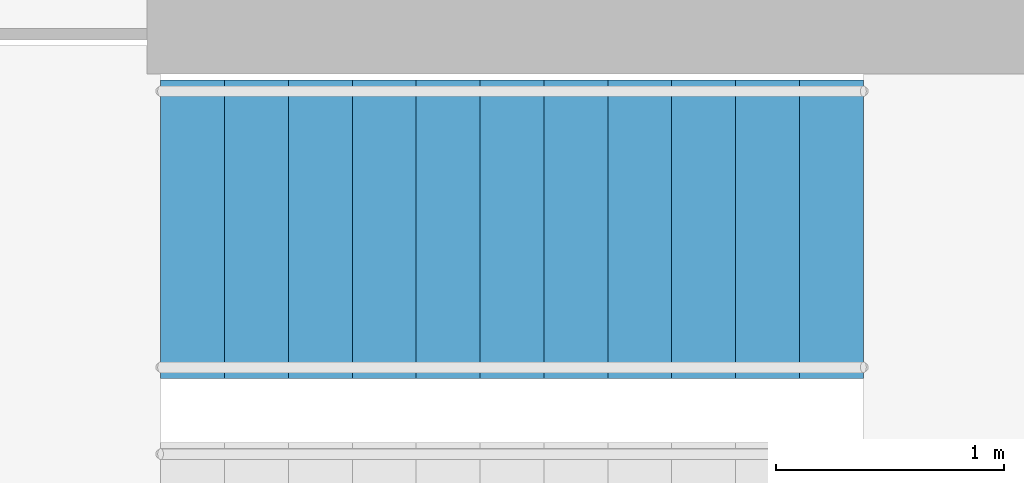
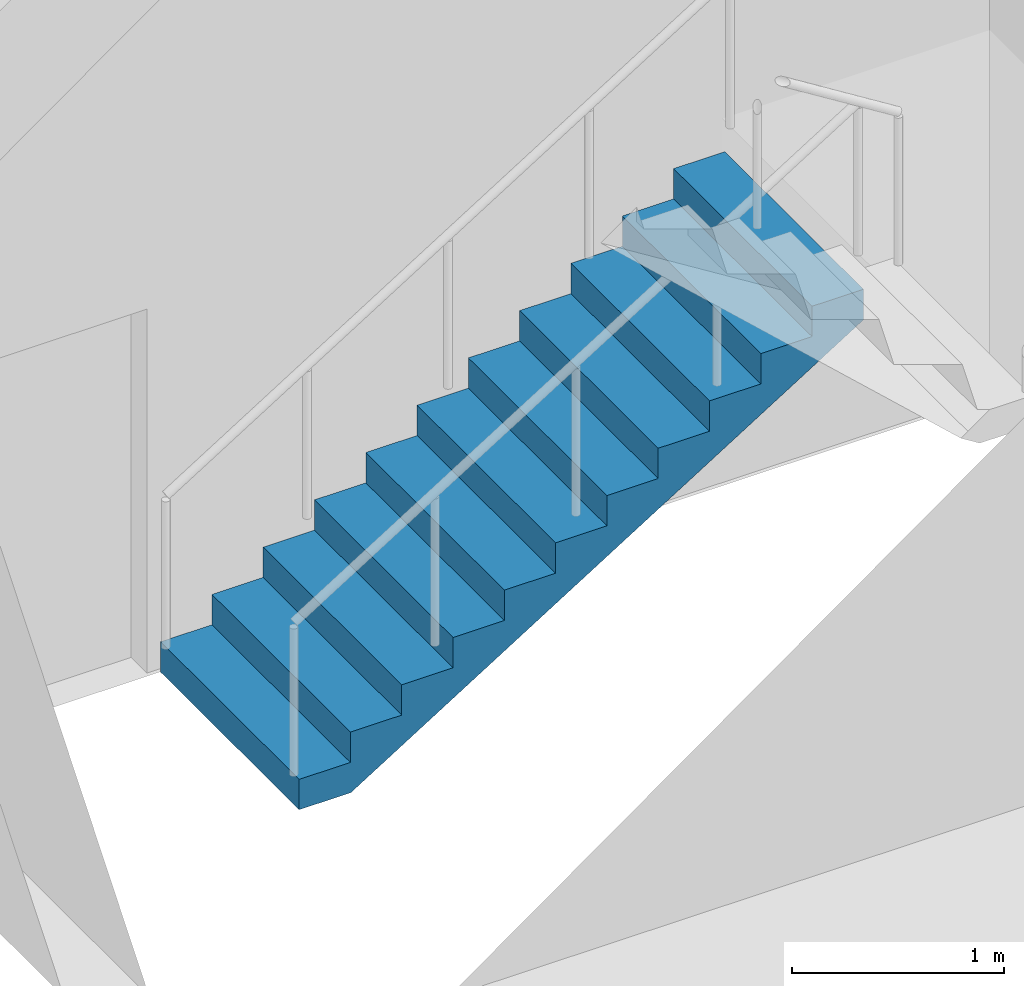
# One storey, part 11 of 14: 1 stair flight, 1 element without a shape of its own.
"""IFC4 building model written with IfcOpenShell, lengths in metres."""

from ifc_helpers import new_model, si_unit, direction, frame, origin, place, context, subcontext, project, spatial, polyline, outline, extrude, material, type_object, element, aggregate, save


model = new_model("IFC4")

# Units and contexts
model_context = context("Model", 3, precision=1e-05, world=origin(), true_north=direction((0.0, 1.0)))
body_context = subcontext(model_context, "Body", "Model", "MODEL_VIEW")
ifc_project = project(units=[si_unit("LENGTHUNIT", "METRE"), si_unit("AREAUNIT", "SQUARE_METRE"), si_unit("VOLUMEUNIT", "CUBIC_METRE"), si_unit("PLANEANGLEUNIT", "RADIAN"), si_unit("MASSUNIT", "GRAM", prefix="KILO")], contexts=[model_context])

# Site, building, storey
site_placement = place(None, origin())
site = spatial("IfcSite", under=ifc_project, at=site_placement, CompositionType="ELEMENT")
building_placement = place(site_placement, origin())
building = spatial("IfcBuilding", under=site, at=building_placement, Name="Qaws Media Tower", CompositionType="ELEMENT")
storey_placement = place(building_placement, frame((0.0, 0.0, 236.0)))
storey = spatial("IfcBuildingStorey", under=building, at=storey_placement, Name="L54", CompositionType="ELEMENT", Elevation=236.0)

# Stair, stair flight
ifc_material_1 = material(Name="Concrete C40/50", Category="concrete")
stair_type = type_object("IfcStairType", Name="Exit stair", PredefinedType="HALF_TURN_STAIR", material=ifc_material_1)
stair_placement = place(storey_placement, origin())
stair = element("IfcStair", 1, at=stair_placement, inside=storey, type_object=stair_type, Name="S2 exit stair L54", PredefinedType="HALF_TURN_STAIR")
ifc_material_2 = material(Name="Concrete C40/50", Category="concrete")
stair_flight_type = type_object("IfcStairFlightType", Name="Stair flight 1310", PredefinedType="STRAIGHT", material=ifc_material_2)
stair_flight_placement = place(storey_placement, frame((66.159912109375, 47.64501953125, 0.0), z_axis=(0.0, 0.0, 1.0), x_axis=(1.0, 0.0, 0.0)))
stair_flight = element("IfcStairFlight", 2, at=stair_flight_placement, type_object=stair_flight_type, Name="S2 flight 1", NumberOfRisers=12, NumberOfTreads=11, PredefinedType="STRAIGHT", RiserHeight=0.175, TreadLength=0.28, context=body_context, shape_type="SweptSolid", body=[
    extrude(outline(polyline([(0.0, 0.0), (0.0, 0.175048828125), (0.280029296875, 0.175048828125), (0.280029296875, 0.35009765625), (0.56005859375, 0.35009765625), (0.56005859375, 0.52490234375), (0.840087890625, 0.52490234375), (0.840087890625, 0.699951171875), (1.1201171875, 0.699951171875), (1.1201171875, 0.875), (1.39990234375, 0.875), (1.39990234375, 1.050048828125), (1.679931640625, 1.050048828125), (1.679931640625, 1.22509765625), (1.9599609375, 1.22509765625), (1.9599609375, 1.39990234375), (2.239990234375, 1.39990234375), (2.239990234375, 1.574951171875), (2.52001953125, 1.574951171875), (2.52001953125, 1.75), (2.800048828125, 1.75), (2.800048828125, 1.925048828125), (3.080078125, 1.925048828125), (3.080078125, 2.10009765625), (3.080078125, 1.748291015625), (0.28271484375, 0.0), (0.0, 0.0)])), frame((0.0, 0.655029296875, 0.0), z_axis=(0.0, -1.0, 0.0), x_axis=(1.0, 0.0, 0.0)), (0.0, 0.0, 1.0), 1.31005859375),
])
aggregate(stair, [stair_flight])

save(model, "model.ifc")
